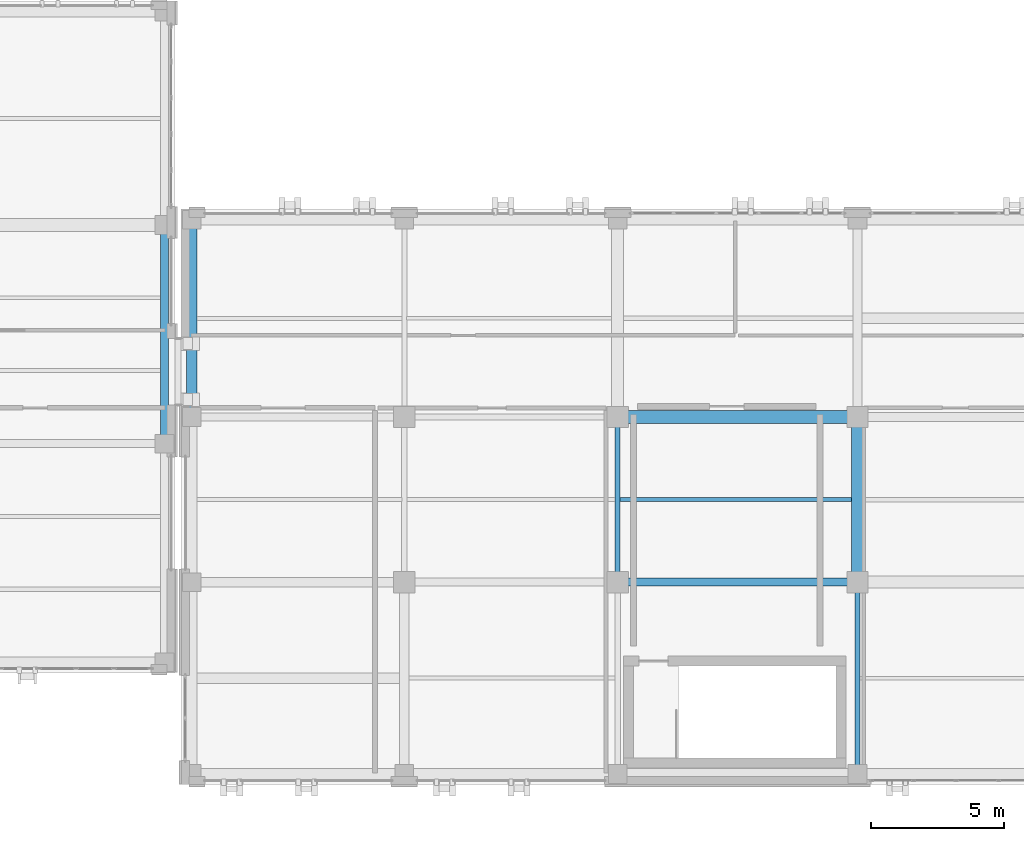
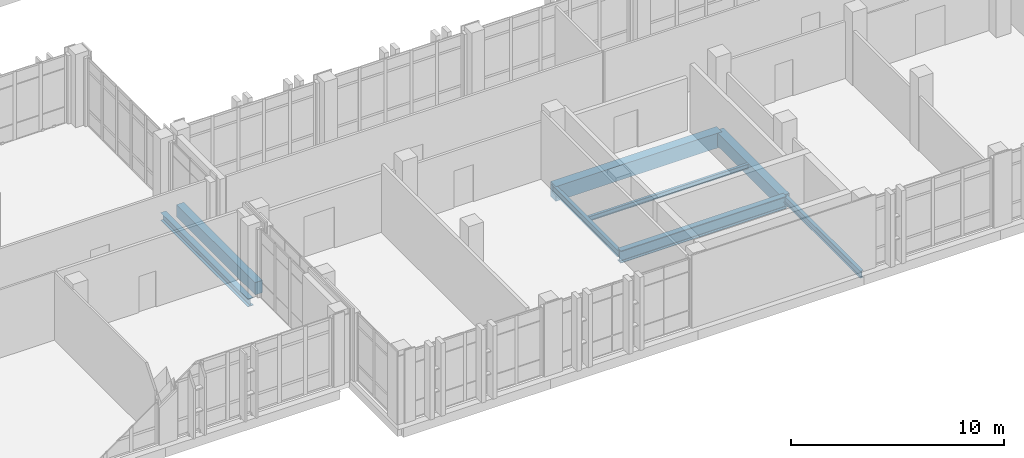
# One storey, part 52 of 193: 8 beams.
"""IFC4 building model written with IfcOpenShell, lengths in metres."""

from ifc_helpers import new_model, si_unit, direction, frame, origin, origin_2d, place, context, subcontext, project, spatial, rectangle, i_section, extrude, material, material_profile, profile_set, type_object, element, save


model = new_model("IFC4")

# Units and contexts
model_context = context("Model", 3, precision=1e-05, world=origin(), true_north=direction((0.0, 1.0)))
body_context = subcontext(model_context, "Body", "Model", "MODEL_VIEW")
ifc_project = project(units=[si_unit("LENGTHUNIT", "METRE"), si_unit("AREAUNIT", "SQUARE_METRE"), si_unit("VOLUMEUNIT", "CUBIC_METRE"), si_unit("PLANEANGLEUNIT", "RADIAN"), si_unit("MASSUNIT", "GRAM", prefix="KILO")], contexts=[model_context])

# Site, building, storey
site_placement = place(None, origin())
site = spatial("IfcSite", under=ifc_project, at=site_placement, CompositionType="ELEMENT")
building_placement = place(site_placement, origin())
building = spatial("IfcBuilding", under=site, at=building_placement, Name="Qalavern Law Courts", CompositionType="ELEMENT")
storey_placement = place(building_placement, frame((0.0, 0.0, 10.199951171875)))
storey = spatial("IfcBuildingStorey", under=building, at=storey_placement, Name="L02", CompositionType="ELEMENT", Elevation=10.199951171875)

# Beams
ifc_material_1 = material(Name="Steel S355", Category="steel")
ifc_material_profile_1 = material_profile(ifc_material_1, i_section(OverallWidth=0.300048828125, OverallDepth=0.699951171875, WebThickness=0.01708984375, FlangeThickness=0.031982421875, FilletRadius=0.027099609375, at=origin_2d()), Name="HEB 700")
ifc_profile_set_1 = profile_set([ifc_material_profile_1], Name="Steel S355")
beam_type_1 = type_object("IfcBeamType", Name="STR-BM-HEB700", PredefinedType="BEAM", material=ifc_profile_set_1)
beam_1_placement = place(storey_placement, frame((117.800048828125, 8.60009765625, -0.639892578125), z_axis=(1.0, 0.0, 0.0), x_axis=(0.0, 1.0, 0.0)))
element("IfcBeam", 1, at=beam_1_placement, inside=storey, type_object=beam_type_1, Name="V6 X-beam 2-3 L02", PredefinedType="BEAM", context=body_context, shape_type="SweptSolid", body=[
    extrude(i_section(OverallWidth=0.300048828125, OverallDepth=0.699951171875, WebThickness=0.01708984375, FlangeThickness=0.031982421875, FilletRadius=0.027099609375, at=origin_2d()), origin(), (0.0, 0.0, 1.0), 9.0),
])
ifc_material_profile_2 = material_profile(ifc_material_1, i_section(OverallWidth=0.179931640625, OverallDepth=0.39990234375, WebThickness=0.008544921875, FlangeThickness=0.013427734375, FilletRadius=0.02099609375, at=origin_2d()), Name="IPE 400")
ifc_profile_set_2 = profile_set([ifc_material_profile_2], Name="Steel S355")
beam_type_2 = type_object("IfcBeamType", Name="STR-BM-IPE400", PredefinedType="BEAM", material=ifc_profile_set_2)
beam_2_placement = place(storey_placement, frame((117.800048828125, 8.60009765625, -0.489990234375), z_axis=(0.0, 1.0, 0.0), x_axis=(-1.0, 0.0, 0.0)))
element("IfcBeam", 2, at=beam_2_placement, inside=storey, type_object=beam_type_2, Name="V6 Y-beam 3-2 L02", PredefinedType="BEAM", context=body_context, shape_type="SweptSolid", body=[
    extrude(i_section(OverallWidth=0.179931640625, OverallDepth=0.39990234375, WebThickness=0.008544921875, FlangeThickness=0.013427734375, FilletRadius=0.02099609375, at=origin_2d()), origin(), (0.0, 0.0, 1.0), 6.199951171875),
])
beam_3_placement = place(storey_placement, frame((126.800048828125, 1.39990234375, -0.489990234375), z_axis=(0.0, 1.0, 0.0), x_axis=(-1.0, 0.0, 0.0)))
element("IfcBeam", 3, at=beam_3_placement, inside=storey, type_object=beam_type_2, Name="V6 Y-beam 4-1 L02", PredefinedType="BEAM", context=body_context, shape_type="SweptSolid", body=[
    extrude(i_section(OverallWidth=0.179931640625, OverallDepth=0.39990234375, WebThickness=0.008544921875, FlangeThickness=0.013427734375, FilletRadius=0.02099609375, at=origin_2d()), origin(), (0.0, 0.0, 1.0), 7.2001953125),
])
ifc_material_2 = material(Name="Concrete C40/50", Category="concrete")
ifc_material_profile_3 = material_profile(ifc_material_2, rectangle(XDim=0.449951171875, YDim=0.75, at=origin_2d()), Name="RC 450x750")
ifc_profile_set_3 = profile_set([ifc_material_profile_3], Name="Concrete C40/50")
beam_type_3 = type_object("IfcBeamType", Name="STR-BM-RC450x750", PredefinedType="BEAM", material=ifc_profile_set_3)
beam_4_placement = place(storey_placement, frame((126.800048828125, 8.60009765625, -0.6650390625), z_axis=(0.0, 1.0, 0.0), x_axis=(-1.0, 0.0, 0.0)))
element("IfcBeam", 4, at=beam_4_placement, inside=storey, type_object=beam_type_3, Name="V6 Y-beam 4-2 L02", PredefinedType="BEAM", context=body_context, shape_type="SweptSolid", body=[
    extrude(rectangle(XDim=0.449951171875, YDim=0.75, at=origin_2d()), origin(), (0.0, 0.0, 1.0), 6.199951171875),
])
ifc_material_profile_4 = material_profile(ifc_material_2, rectangle(XDim=0.5, YDim=0.85009765625, at=origin_2d()), Name="RC 500x850")
ifc_profile_set_4 = profile_set([ifc_material_profile_4], Name="Concrete C40/50")
beam_type_4 = type_object("IfcBeamType", Name="STR-BM-RC500x850", PredefinedType="BEAM", material=ifc_profile_set_4)
beam_5_placement = place(storey_placement, frame((117.800048828125, 14.800048828125, -0.71484375), z_axis=(1.0, 0.0, 0.0), x_axis=(0.0, 1.0, 0.0)))
element("IfcBeam", 5, at=beam_5_placement, inside=storey, type_object=beam_type_4, Name="V6 X-beam 3-3 L02", PredefinedType="BEAM", context=body_context, shape_type="SweptSolid", body=[
    extrude(rectangle(XDim=0.5, YDim=0.85009765625, at=origin_2d()), origin(), (0.0, 0.0, 1.0), 9.0),
])
ifc_material_profile_5 = material_profile(ifc_material_1, i_section(OverallWidth=0.135009765625, OverallDepth=0.27001953125, WebThickness=0.006591796875, FlangeThickness=0.01025390625, FilletRadius=0.014892578125, at=origin_2d()), Name="IPE 270")
ifc_profile_set_5 = profile_set([ifc_material_profile_5], Name="Steel S355")
beam_type_5 = type_object("IfcBeamType", Name="STR-JST-IPE270", PredefinedType="JOIST", material=ifc_profile_set_5)
beam_6_placement = place(storey_placement, frame((117.887939453125, 11.699951171875, -0.425048828125), z_axis=(1.0, 0.0, 0.0), x_axis=(0.0, 1.0, 0.0)))
element("IfcBeam", 6, at=beam_6_placement, inside=storey, type_object=beam_type_5, Name="V6 secondary joist 3.2.1 L02", PredefinedType="JOIST", context=body_context, shape_type="SweptSolid", body=[
    extrude(i_section(OverallWidth=0.135009765625, OverallDepth=0.27001953125, WebThickness=0.006591796875, FlangeThickness=0.01025390625, FilletRadius=0.014892578125, at=origin_2d()), origin(), (0.0, 0.0, 1.0), 8.68896484375),
])
ifc_material_profile_6 = material_profile(ifc_material_1, i_section(OverallWidth=0.300048828125, OverallDepth=0.449951171875, WebThickness=0.013916015625, FlangeThickness=0.02587890625, FilletRadius=0.027099609375, at=origin_2d()), Name="HEB 450")
ifc_profile_set_6 = profile_set([ifc_material_profile_6], Name="Steel S355")
beam_type_6 = type_object("IfcBeamType", Name="STR-SP-HEB450", PredefinedType="SPANDREL", material=ifc_profile_set_6)
beam_7_placement = place(storey_placement, frame((100.800048828125, 13.800048828125, -0.514892578125), z_axis=(0.0, 1.0, 0.0), x_axis=(-1.0, 0.0, 0.0)))
element("IfcBeam", 7, at=beam_7_placement, inside=storey, type_object=beam_type_6, Name="V2 Y-beam 8-2 L02", PredefinedType="SPANDREL", context=body_context, shape_type="SweptSolid", body=[
    extrude(i_section(OverallWidth=0.300048828125, OverallDepth=0.449951171875, WebThickness=0.013916015625, FlangeThickness=0.02587890625, FilletRadius=0.027099609375, at=origin_2d()), origin(), (0.0, 0.0, 1.0), 8.199951171875),
])
ifc_material_profile_7 = material_profile(ifc_material_2, rectangle(XDim=0.39990234375, YDim=0.699951171875, at=origin_2d()), Name="RC 400x700")
ifc_profile_set_7 = profile_set([ifc_material_profile_7], Name="Concrete C40/50")
beam_type_7 = type_object("IfcBeamType", Name="STR-SP-RC400x700", PredefinedType="SPANDREL", material=ifc_profile_set_7)
beam_8_placement = place(storey_placement, frame((101.820068359375, 14.800048828125, -0.639892578125), z_axis=(0.0, 1.0, 0.0), x_axis=(-1.0, 0.0, 0.0)))
element("IfcBeam", 8, at=beam_8_placement, inside=storey, type_object=beam_type_7, Name="V6 Y-beam 1-3 L02", PredefinedType="SPANDREL", context=body_context, shape_type="SweptSolid", body=[
    extrude(rectangle(XDim=0.39990234375, YDim=0.699951171875, at=origin_2d()), origin(), (0.0, 0.0, 1.0), 7.39990234375),
])

save(model, "model.ifc")
